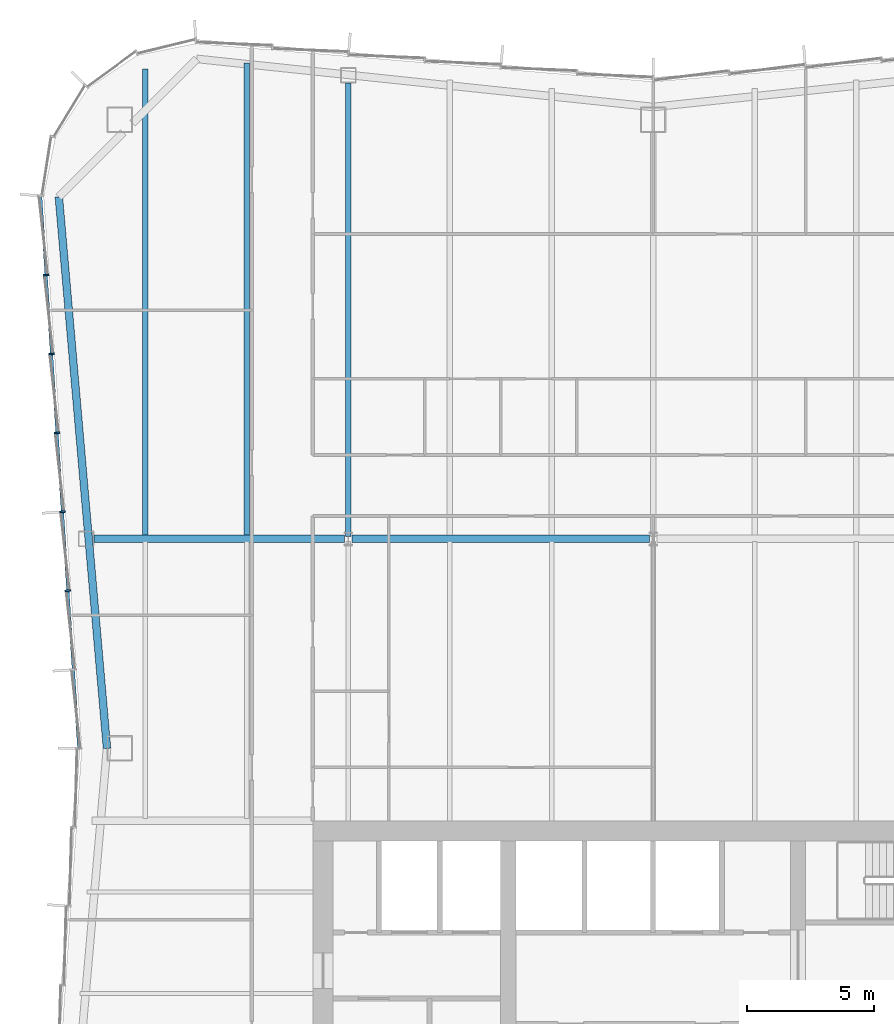
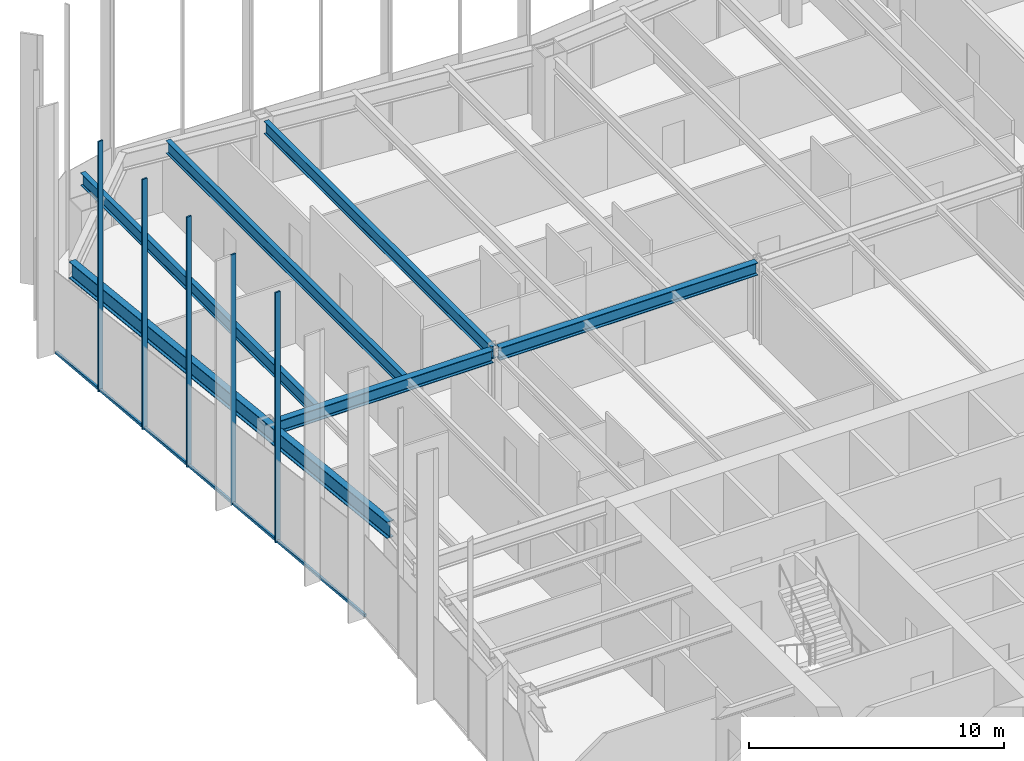
# One storey, part 6 of 15: 6 beams, 6 members, 1 element without a shape of its own.
"""IFC4 building model written with IfcOpenShell, lengths in metres."""

from ifc_helpers import new_model, si_unit, direction, frame, origin, origin_2d, place, context, subcontext, project, spatial, rectangle, i_section, extrude, material, material_profile, profile_set, type_object, element, aggregate, save


model = new_model("IFC4")

# Units and contexts
model_context = context("Model", 3, precision=1e-05, world=origin(), true_north=direction((0.0, 1.0)))
body_context = subcontext(model_context, "Body", "Model", "MODEL_VIEW")
ifc_project = project(units=[si_unit("LENGTHUNIT", "METRE"), si_unit("AREAUNIT", "SQUARE_METRE"), si_unit("VOLUMEUNIT", "CUBIC_METRE"), si_unit("PLANEANGLEUNIT", "RADIAN"), si_unit("MASSUNIT", "GRAM", prefix="KILO")], contexts=[model_context])

# Site, building, storey
site_placement = place(None, origin())
site = spatial("IfcSite", under=ifc_project, at=site_placement, CompositionType="ELEMENT")
building_placement = place(site_placement, origin())
building = spatial("IfcBuilding", under=site, at=building_placement, Name="Verdant Reach Tower", CompositionType="ELEMENT")
storey_placement = place(building_placement, frame((0.0, 0.0, 238.0)))
storey = spatial("IfcBuildingStorey", under=building, at=storey_placement, Name="L54", CompositionType="ELEMENT", Elevation=238.0)

# Curtain wall, members
ifc_material_1 = material(Name="Anodised aluminium", Category="aluminium")
curtain_wall_type = type_object("IfcCurtainWallType", Name="EN-CW SYSTEM Z4", PredefinedType="NOTDEFINED", material=ifc_material_1)
curtain_wall_placement = place(storey_placement, origin())
curtain_wall = element("IfcCurtainWall", 1, at=curtain_wall_placement, inside=storey, type_object=curtain_wall_type, Name="Curtain wall west, L54", PredefinedType="NOTDEFINED")
ifc_material_profile_1 = material_profile(ifc_material_1, rectangle(XDim=0.22412109375, YDim=0.068115234375, at=origin_2d()), Name="Mullion 68x224")
ifc_profile_set_1 = profile_set([ifc_material_profile_1], Name="Anodised aluminium")
member_type_1 = type_object("IfcMemberType", Name="EN-MULLION Z4", PredefinedType="MULLION", material=ifc_profile_set_1)
member_1_placement = place(storey_placement, frame((-23.8974609375, 59.88525390625, -0.35009765625), z_axis=(0.0, 0.0, 1.0), x_axis=(-0.997630328423, -0.068802091615, 0.0)))
member_1 = element("IfcMember", 2, at=member_1_placement, type_object=member_type_1, Name="Mullion west face part 1 2, L54", PredefinedType="MULLION", context=body_context, shape_type="SweptSolid", body=[
    extrude(rectangle(XDim=0.22412109375, YDim=0.068115234375, at=origin_2d()), origin(), (0.0, 0.0, 1.0), 12.0),
])
member_2_placement = place(storey_placement, frame((-23.68310546875, 56.778076171875, -0.35009765625), z_axis=(0.0, 0.0, 1.0), x_axis=(-0.997630328423, -0.068802091615, 0.0)))
member_2 = element("IfcMember", 3, at=member_2_placement, type_object=member_type_1, Name="Mullion west face part 1 3, L54", PredefinedType="MULLION", context=body_context, shape_type="SweptSolid", body=[
    extrude(rectangle(XDim=0.22412109375, YDim=0.068115234375, at=origin_2d()), origin(), (0.0, 0.0, 1.0), 12.0),
])
member_3_placement = place(storey_placement, frame((-23.468994140625, 53.6708984375, -0.35009765625), z_axis=(0.0, 0.0, 1.0), x_axis=(-0.997630328423, -0.068802091615, 0.0)))
member_3 = element("IfcMember", 4, at=member_3_placement, type_object=member_type_1, Name="Mullion west face part 1 4, L54", PredefinedType="MULLION", context=body_context, shape_type="SweptSolid", body=[
    extrude(rectangle(XDim=0.22412109375, YDim=0.068115234375, at=origin_2d()), origin(), (0.0, 0.0, 1.0), 12.0),
])
member_4_placement = place(storey_placement, frame((-23.254638671875, 50.563720703125, -0.35009765625), z_axis=(0.0, 0.0, 1.0), x_axis=(-0.997630328423, -0.068802091615, 0.0)))
member_4 = element("IfcMember", 5, at=member_4_placement, type_object=member_type_1, Name="Mullion west face part 1 5, L54", PredefinedType="MULLION", context=body_context, shape_type="SweptSolid", body=[
    extrude(rectangle(XDim=0.22412109375, YDim=0.068115234375, at=origin_2d()), origin(), (0.0, 0.0, 1.0), 12.0),
])
member_5_placement = place(storey_placement, frame((-23.040283203125, 47.45654296875, -0.35009765625), z_axis=(0.0, 0.0, 1.0), x_axis=(-0.997630328423, -0.068802091615, 0.0)))
member_5 = element("IfcMember", 6, at=member_5_placement, type_object=member_type_1, Name="Mullion west face part 1 6, L54", PredefinedType="MULLION", context=body_context, shape_type="SweptSolid", body=[
    extrude(rectangle(XDim=0.22412109375, YDim=0.068115234375, at=origin_2d()), origin(), (0.0, 0.0, 1.0), 12.0),
])
ifc_material_profile_2 = material_profile(ifc_material_1, rectangle(XDim=0.10009765625, YDim=0.1279296875, at=origin_2d()), Name="Transom 128x100")
ifc_profile_set_2 = profile_set([ifc_material_profile_2], Name="Anodised aluminium")
member_type_2 = type_object("IfcMemberType", Name="EN-TRANSOM Z4", PredefinedType="USERDEFINED", material=ifc_profile_set_2)
member_6_placement = place(storey_placement, frame((-24.109375, 62.97314453125, -0.285888671875), z_axis=(0.068770489035, -0.997632507408, 0.0), x_axis=(0.997632507408, 0.068770489035, 0.0)))
member_6 = element("IfcMember", 7, at=member_6_placement, type_object=member_type_2, Name="Transom west face part 1 1.1, L54", ObjectType="TRANSOM", PredefinedType="USERDEFINED", context=body_context, shape_type="SweptSolid", body=[
    extrude(rectangle(XDim=0.10009765625, YDim=0.1279296875, at=origin_2d()), origin(), (0.0, 0.0, 1.0), 21.74072265625),
])
aggregate(curtain_wall, [member_1, member_2, member_3, member_4, member_5, member_6])

# Beams
ifc_material_2 = material(Name="Steel S355", Category="steel")
ifc_material_profile_3 = material_profile(ifc_material_2, i_section(OverallWidth=0.300048828125, OverallDepth=0.60009765625, WebThickness=0.015380859375, FlangeThickness=0.030029296875, FilletRadius=0.027099609375, at=origin_2d()), Name="HEB 600")
ifc_profile_set_3 = profile_set([ifc_material_profile_3], Name="Steel S355")
beam_type_1 = type_object("IfcBeamType", Name="ST-BEAM-HEB600", PredefinedType="BEAM", material=ifc_profile_set_3)
beam_1_placement = place(storey_placement, frame((-22.01904296875, 49.5, 3.570068359375), z_axis=(1.0, 0.0, 0.0), x_axis=(0.0, 1.0, 0.0)))
element("IfcBeam", 8, at=beam_1_placement, inside=storey, type_object=beam_type_1, Name="Row girder, L54", PredefinedType="BEAM", context=body_context, shape_type="SweptSolid", body=[
    extrude(i_section(OverallWidth=0.300048828125, OverallDepth=0.60009765625, WebThickness=0.015380859375, FlangeThickness=0.030029296875, FilletRadius=0.027099609375, at=origin_2d()), origin(), (0.0, 0.0, 1.0), 9.865966796875),
])
beam_2_placement = place(storey_placement, frame((-11.846923828125, 49.5, 3.570068359375), z_axis=(1.0, 0.0, 0.0), x_axis=(0.0, 1.0, 0.0)))
element("IfcBeam", 9, at=beam_2_placement, inside=storey, type_object=beam_type_1, Name="Row girder, L54", PredefinedType="BEAM", context=body_context, shape_type="SweptSolid", body=[
    extrude(i_section(OverallWidth=0.300048828125, OverallDepth=0.60009765625, WebThickness=0.015380859375, FlangeThickness=0.030029296875, FilletRadius=0.027099609375, at=origin_2d()), origin(), (0.0, 0.0, 1.0), 11.69384765625),
])
ifc_material_profile_4 = material_profile(ifc_material_2, i_section(OverallWidth=0.219970703125, OverallDepth=0.60009765625, WebThickness=0.011962890625, FlangeThickness=0.01904296875, FilletRadius=0.02392578125, at=origin_2d()), Name="IPE 600")
ifc_profile_set_4 = profile_set([ifc_material_profile_4], Name="Steel S355")
beam_type_2 = type_object("IfcBeamType", Name="ST-JOIST-IPE600", PredefinedType="JOIST", material=ifc_profile_set_4)
beam_3_placement = place(storey_placement, frame((-20.0, 49.60009765625, 3.570068359375), z_axis=(0.0, 1.0, 0.0), x_axis=(-1.0, 0.0, 0.0)))
element("IfcBeam", 10, at=beam_3_placement, inside=storey, type_object=beam_type_2, Name="Floor joist, L54", PredefinedType="JOIST", context=body_context, shape_type="SweptSolid", body=[
    extrude(i_section(OverallWidth=0.219970703125, OverallDepth=0.60009765625, WebThickness=0.011962890625, FlangeThickness=0.01904296875, FilletRadius=0.02392578125, at=origin_2d()), origin(), (0.0, 0.0, 1.0), 18.390380859375),
])
beam_4_placement = place(storey_placement, frame((-16.0, 49.60009765625, 3.570068359375), z_axis=(0.0, 1.0, 0.0), x_axis=(-1.0, 0.0, 0.0)))
element("IfcBeam", 11, at=beam_4_placement, inside=storey, type_object=beam_type_2, Name="Floor joist, L54", PredefinedType="JOIST", context=body_context, shape_type="SweptSolid", body=[
    extrude(i_section(OverallWidth=0.219970703125, OverallDepth=0.60009765625, WebThickness=0.011962890625, FlangeThickness=0.01904296875, FilletRadius=0.02392578125, at=origin_2d()), origin(), (0.0, 0.0, 1.0), 18.631103515625),
])
beam_5_placement = place(storey_placement, frame((-12.0, 49.60009765625, 3.570068359375), z_axis=(0.0, 1.0, 0.0), x_axis=(-1.0, 0.0, 0.0)))
element("IfcBeam", 12, at=beam_5_placement, inside=storey, type_object=beam_type_2, Name="Floor joist, L54", PredefinedType="JOIST", context=body_context, shape_type="SweptSolid", body=[
    extrude(i_section(OverallWidth=0.219970703125, OverallDepth=0.60009765625, WebThickness=0.011962890625, FlangeThickness=0.01904296875, FilletRadius=0.02392578125, at=origin_2d()), origin(), (0.0, 0.0, 1.0), 17.849853515625),
])
ifc_material_profile_5 = material_profile(ifc_material_2, i_section(OverallWidth=0.300048828125, OverallDepth=0.800048828125, WebThickness=0.017578125, FlangeThickness=0.032958984375, FilletRadius=0.030029296875, at=origin_2d()), Name="HEB 800")
ifc_profile_set_5 = profile_set([ifc_material_profile_5], Name="Steel S355")
beam_type_3 = type_object("IfcBeamType", Name="ST-SPANDREL-HEB800", PredefinedType="SPANDREL", material=ifc_profile_set_5)
beam_6_placement = place(storey_placement, frame((-21.5, 41.25, 3.469970703125), z_axis=(-0.086996024331, 0.996208658741, 0.0), x_axis=(-0.996208658741, -0.086996024331, 0.0)))
element("IfcBeam", 13, at=beam_6_placement, inside=storey, type_object=beam_type_3, Name="Edge beam, L54", PredefinedType="SPANDREL", context=body_context, shape_type="SweptSolid", body=[
    extrude(i_section(OverallWidth=0.300048828125, OverallDepth=0.800048828125, WebThickness=0.017578125, FlangeThickness=0.032958984375, FilletRadius=0.030029296875, at=origin_2d()), origin(), (0.0, 0.0, 1.0), 21.7939453125),
])

save(model, "model.ifc")
